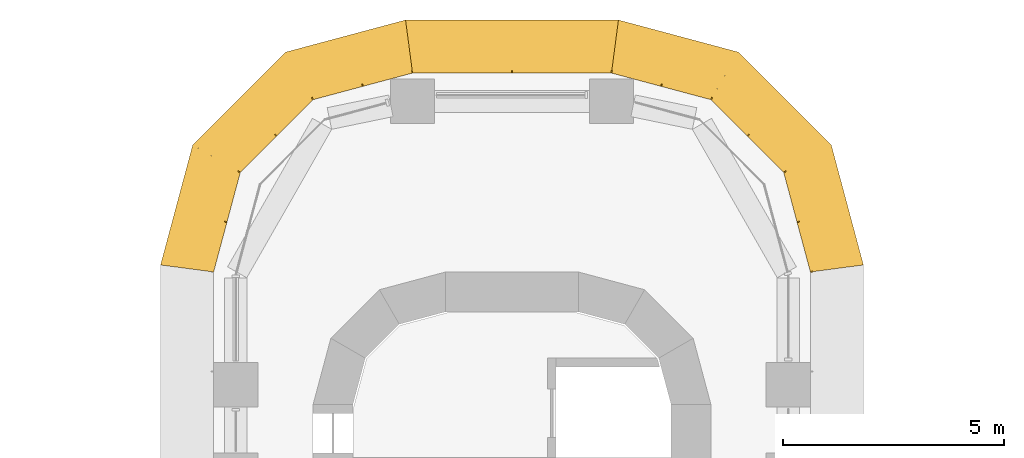
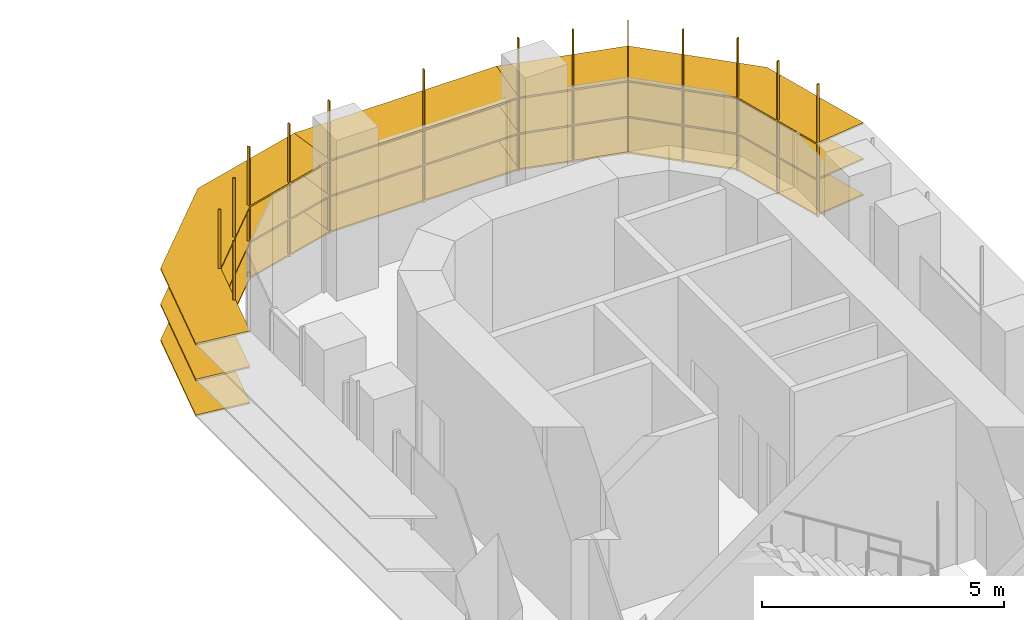
# One storey, part 23 of 23: 3 shading devices.
"""IFC4 building model written with IfcOpenShell, lengths in metres."""

from ifc_helpers import new_model, si_unit, direction, frame, origin, place, context, subcontext, project, spatial, polyline, outline, extrude, faceted_brep, source, transform, mapped, material, type_object, element, save


model = new_model("IFC4")

# Units and contexts
model_context = context("Model", 3, precision=1e-05, world=origin(), true_north=direction((0.0, 1.0)))
body_context = subcontext(model_context, "Body", "Model", "MODEL_VIEW")
ifc_project = project(units=[si_unit("LENGTHUNIT", "METRE"), si_unit("AREAUNIT", "SQUARE_METRE"), si_unit("VOLUMEUNIT", "CUBIC_METRE"), si_unit("PLANEANGLEUNIT", "RADIAN"), si_unit("MASSUNIT", "GRAM", prefix="KILO")], contexts=[model_context])

# Site, building, storey
site_placement = place(None, origin())
site = spatial("IfcSite", under=ifc_project, at=site_placement, CompositionType="ELEMENT")
building_placement = place(site_placement, origin())
building = spatial("IfcBuilding", under=site, at=building_placement, Name="Zarbagh Exchange Tower", CompositionType="ELEMENT")
storey_placement = place(building_placement, frame((0.0, 0.0, 52.199951171875)))
storey = spatial("IfcBuildingStorey", under=building, at=storey_placement, Name="L11", CompositionType="ELEMENT", Elevation=52.199951171875)

# Shading devices
ifc_material = material(Name="Anodised aluminium blades and brackets", Category="aluminium")
shading_device_type = type_object("IfcShadingDeviceType", Name="SUNSHADE louvre band, 0 degree blades", PredefinedType="JALOUSIE", material=ifc_material)
shared_shape_1 = source(origin(), body_context, "Body", "Brep", [
    faceted_brep([(0.0, 0.0, 0.0), (0.0, 0.0, -0.0400390625), (-0.157958984375, -1.199951171875, -0.0400390625), (-0.157958984375, -1.199951171875, 0.0), (2.65087890625, -1.199951171875, 0.0), (2.65087890625, -1.199951171875, -0.0400390625), (2.329345703125, 0.0, -0.0400390625), (2.329345703125, 0.0, 0.0)], [[[0, 1, 2, 3]], [[4, 5, 6, 7]], [[0, 7, 6, 1]], [[1, 6, 5, 2]], [[2, 5, 4, 3]], [[3, 4, 7, 0]]]),
])
shared_shape_2 = source(origin(), body_context, "Body", "Brep", [
    faceted_brep([(0.0, 0.0, 0.0), (0.0, 0.0, -0.0400390625), (-0.321533203125, -1.199951171875, -0.0400390625), (-0.321533203125, -1.199951171875, 0.0), (2.65087890625, -1.199951171875, 0.0), (2.65087890625, -1.199951171875, -0.0400390625), (2.329345703125, 0.0, -0.0400390625), (2.329345703125, 0.0, 0.0)], [[[0, 1, 2, 3]], [[4, 5, 6, 7]], [[0, 7, 6, 1]], [[1, 6, 5, 2]], [[2, 5, 4, 3]], [[3, 4, 7, 0]]]),
])
shared_shape_3 = source(origin(), body_context, "Body", "Brep", [
    faceted_brep([(0.0, 0.0, 0.0), (0.0, 0.0, -0.0400390625), (-0.321533203125, -1.199951171875, -0.0400390625), (-0.321533203125, -1.199951171875, 0.0), (2.4873046875, -1.199951171875, 0.0), (2.4873046875, -1.199951171875, -0.0400390625), (2.329345703125, 0.0, -0.0400390625), (2.329345703125, 0.0, 0.0)], [[[0, 1, 2, 3]], [[4, 5, 6, 7]], [[0, 7, 6, 1]], [[1, 6, 5, 2]], [[2, 5, 4, 3]], [[3, 4, 7, 0]]]),
])
shared_shape_4 = source(origin(), body_context, "Body", "SweptSolid", [
    extrude(outline(polyline([(0.0, -0.012451171875), (0.06005859375, -0.012451171875), (0.06005859375, 0.012451171875), (0.0, 0.012451171875), (0.0, -0.012451171875)])), origin(), (0.0, 0.0, 1.0), 3.35009765625),
])
placement = place(storey_placement, origin())
element("IfcShadingDevice", 1, at=placement, inside=storey, type_object=shading_device_type, Name="SS11 sunshade band", PredefinedType="JALOUSIE", context=body_context, shape_type="MappedRepresentation", body=[
    mapped(shared_shape_1, transform((6.75, 29.25, 2.699951171875), x_axis=(-0.258824779902, 0.965924289636, 0.0), y_axis=(-0.965924289636, -0.258824779902, 0.0), z_axis=(0.0, 0.0, 1.0))),
    mapped(shared_shape_1, transform((6.75, 29.25, 1.800048828125), x_axis=(-0.258824779902, 0.965924289636, 0.0), y_axis=(-0.965924289636, -0.258824779902, 0.0), z_axis=(0.0, 0.0, 1.0))),
    mapped(shared_shape_1, transform((6.75, 29.25, 0.900146484375), x_axis=(-0.258824779902, 0.965924289636, 0.0), y_axis=(-0.965924289636, -0.258824779902, 0.0), z_axis=(0.0, 0.0, 1.0))),
    mapped(shared_shape_2, transform((6.147216796875, 31.5, 2.699951171875), x_axis=(-0.707106781187, 0.707106781187, 0.0), y_axis=(-0.707106781187, -0.707106781187, 0.0), z_axis=(0.0, 0.0, 1.0))),
    mapped(shared_shape_2, transform((6.147216796875, 31.5, 1.800048828125), x_axis=(-0.707106781187, 0.707106781187, 0.0), y_axis=(-0.707106781187, -0.707106781187, 0.0), z_axis=(0.0, 0.0, 1.0))),
    mapped(shared_shape_2, transform((6.147216796875, 31.5, 0.900146484375), x_axis=(-0.707106781187, 0.707106781187, 0.0), y_axis=(-0.707106781187, -0.707106781187, 0.0), z_axis=(0.0, 0.0, 1.0))),
    mapped(shared_shape_3, transform((4.5, 33.147216796875, 2.699951171875), x_axis=(-0.965924289636, 0.258824779902, 0.0), y_axis=(-0.258824779902, -0.965924289636, 0.0), z_axis=(0.0, 0.0, 1.0))),
    mapped(shared_shape_3, transform((4.5, 33.147216796875, 1.800048828125), x_axis=(-0.965924289636, 0.258824779902, 0.0), y_axis=(-0.258824779902, -0.965924289636, 0.0), z_axis=(0.0, 0.0, 1.0))),
    mapped(shared_shape_3, transform((4.5, 33.147216796875, 0.900146484375), x_axis=(-0.965924289636, 0.258824779902, 0.0), y_axis=(-0.258824779902, -0.965924289636, 0.0), z_axis=(0.0, 0.0, 1.0))),
    mapped(shared_shape_4, transform((6.75, 29.25, 0.830078125), x_axis=(0.991444457092, 0.130529263012, 0.0), y_axis=(-0.130529263012, 0.991444457092, 0.0), z_axis=(0.0, 0.0, 1.0))),
    mapped(shared_shape_4, transform((6.448486328125, 30.375, 0.830078125), x_axis=(0.96592421511, 0.258825058029, 0.0), y_axis=(-0.258825058029, 0.96592421511, 0.0), z_axis=(0.0, 0.0, 1.0))),
    mapped(shared_shape_4, transform((6.147216796875, 31.5, 0.830078125), x_axis=(0.866023812018, 0.50000275701, 0.0), y_axis=(-0.50000275701, 0.866023812018, 0.0), z_axis=(0.0, 0.0, 1.0))),
    mapped(shared_shape_4, transform((5.323486328125, 32.323486328125, 0.830078125), x_axis=(0.707106781187, 0.707106781187, 0.0), y_axis=(-0.707106781187, 0.707106781187, 0.0), z_axis=(0.0, 0.0, 1.0))),
    mapped(shared_shape_4, transform((4.5, 33.147216796875, 0.830078125), x_axis=(0.50000275701, 0.866023812018, 0.0), y_axis=(-0.866023812018, 0.50000275701, 0.0), z_axis=(0.0, 0.0, 1.0))),
    mapped(shared_shape_4, transform((3.375, 33.448486328125, 0.830078125), x_axis=(0.258825058029, 0.96592421511, 0.0), y_axis=(-0.96592421511, 0.258825058029, 0.0), z_axis=(0.0, 0.0, 1.0))),
])
element("IfcShadingDevice", 2, at=placement, inside=storey, type_object=shading_device_type, Name="SS13 sunshade band", PredefinedType="JALOUSIE", context=body_context, shape_type="MappedRepresentation", body=[
    mapped(shared_shape_1, transform((-2.25, 33.75, 2.699951171875), x_axis=(-0.965924289636, -0.258824779902, 0.0), y_axis=(0.258824779902, -0.965924289636, 0.0), z_axis=(0.0, 0.0, 1.0))),
    mapped(shared_shape_1, transform((-2.25, 33.75, 1.800048828125), x_axis=(-0.965924289636, -0.258824779902, 0.0), y_axis=(0.258824779902, -0.965924289636, 0.0), z_axis=(0.0, 0.0, 1.0))),
    mapped(shared_shape_1, transform((-2.25, 33.75, 0.900146484375), x_axis=(-0.965924289636, -0.258824779902, 0.0), y_axis=(0.258824779902, -0.965924289636, 0.0), z_axis=(0.0, 0.0, 1.0))),
    mapped(shared_shape_2, transform((-4.5, 33.147216796875, 2.699951171875), x_axis=(-0.707106781187, -0.707106781187, 0.0), y_axis=(0.707106781187, -0.707106781187, 0.0), z_axis=(0.0, 0.0, 1.0))),
    mapped(shared_shape_2, transform((-4.5, 33.147216796875, 1.800048828125), x_axis=(-0.707106781187, -0.707106781187, 0.0), y_axis=(0.707106781187, -0.707106781187, 0.0), z_axis=(0.0, 0.0, 1.0))),
    mapped(shared_shape_2, transform((-4.5, 33.147216796875, 0.900146484375), x_axis=(-0.707106781187, -0.707106781187, 0.0), y_axis=(0.707106781187, -0.707106781187, 0.0), z_axis=(0.0, 0.0, 1.0))),
    mapped(shared_shape_3, transform((-6.147216796875, 31.5, 2.699951171875), x_axis=(-0.258824779902, -0.965924289636, 0.0), y_axis=(0.965924289636, -0.258824779902, 0.0), z_axis=(0.0, 0.0, 1.0))),
    mapped(shared_shape_3, transform((-6.147216796875, 31.5, 1.800048828125), x_axis=(-0.258824779902, -0.965924289636, 0.0), y_axis=(0.965924289636, -0.258824779902, 0.0), z_axis=(0.0, 0.0, 1.0))),
    mapped(shared_shape_3, transform((-6.147216796875, 31.5, 0.900146484375), x_axis=(-0.258824779902, -0.965924289636, 0.0), y_axis=(0.965924289636, -0.258824779902, 0.0), z_axis=(0.0, 0.0, 1.0))),
    mapped(shared_shape_4, transform((-2.25, 33.75, 0.830078125), x_axis=(-0.130529263012, 0.991444457092, 0.0), y_axis=(-0.991444457092, -0.130529263012, 0.0), z_axis=(0.0, 0.0, 1.0))),
    mapped(shared_shape_4, transform((-3.375, 33.448486328125, 0.830078125), x_axis=(-0.258825058029, 0.96592421511, 0.0), y_axis=(-0.96592421511, -0.258825058029, 0.0), z_axis=(0.0, 0.0, 1.0))),
    mapped(shared_shape_4, transform((-4.5, 33.147216796875, 0.830078125), x_axis=(-0.50000275701, 0.866023812018, 0.0), y_axis=(-0.866023812018, -0.50000275701, 0.0), z_axis=(0.0, 0.0, 1.0))),
    mapped(shared_shape_4, transform((-5.323486328125, 32.323486328125, 0.830078125), x_axis=(-0.707106781187, 0.707106781187, 0.0), y_axis=(-0.707106781187, -0.707106781187, 0.0), z_axis=(0.0, 0.0, 1.0))),
    mapped(shared_shape_4, transform((-6.147216796875, 31.5, 0.830078125), x_axis=(-0.866023812018, 0.50000275701, 0.0), y_axis=(-0.50000275701, -0.866023812018, 0.0), z_axis=(0.0, 0.0, 1.0))),
    mapped(shared_shape_4, transform((-6.448486328125, 30.375, 0.830078125), x_axis=(-0.96592421511, 0.258825058029, 0.0), y_axis=(-0.258825058029, -0.96592421511, 0.0), z_axis=(0.0, 0.0, 1.0))),
])
shared_shape_5 = source(origin(), body_context, "Body", "Brep", [
    faceted_brep([(0.0, 0.0, 0.0), (0.0, 0.0, -0.0400390625), (-0.157958984375, -1.199951171875, -0.0400390625), (-0.157958984375, -1.199951171875, 0.0), (4.657958984375, -1.199951171875, 0.0), (4.657958984375, -1.199951171875, -0.0400390625), (4.5, 0.0, -0.0400390625), (4.5, 0.0, 0.0)], [[[0, 1, 2, 3]], [[4, 5, 6, 7]], [[0, 7, 6, 1]], [[1, 6, 5, 2]], [[2, 5, 4, 3]], [[3, 4, 7, 0]]]),
])
element("IfcShadingDevice", 3, at=placement, inside=storey, type_object=shading_device_type, Name="SS12 sunshade band", PredefinedType="JALOUSIE", context=body_context, shape_type="MappedRepresentation", body=[
    mapped(shared_shape_5, transform((2.25, 33.75, 2.699951171875), x_axis=(-1.0, 0.0, 0.0), y_axis=(0.0, -1.0, 0.0), z_axis=(0.0, 0.0, 1.0))),
    mapped(shared_shape_5, transform((2.25, 33.75, 1.800048828125), x_axis=(-1.0, 0.0, 0.0), y_axis=(0.0, -1.0, 0.0), z_axis=(0.0, 0.0, 1.0))),
    mapped(shared_shape_5, transform((2.25, 33.75, 0.900146484375), x_axis=(-1.0, 0.0, 0.0), y_axis=(0.0, -1.0, 0.0), z_axis=(0.0, 0.0, 1.0))),
    mapped(shared_shape_4, transform((2.25, 33.75, 0.830078125), x_axis=(0.130529263012, 0.991444457092, 0.0), y_axis=(-0.991444457092, 0.130529263012, 0.0), z_axis=(0.0, 0.0, 1.0))),
    mapped(shared_shape_4, transform((0.0, 33.75, 0.830078125), x_axis=(0.0, 1.0, 0.0), y_axis=(-1.0, 0.0, 0.0), z_axis=(0.0, 0.0, 1.0))),
])

save(model, "model.ifc")
